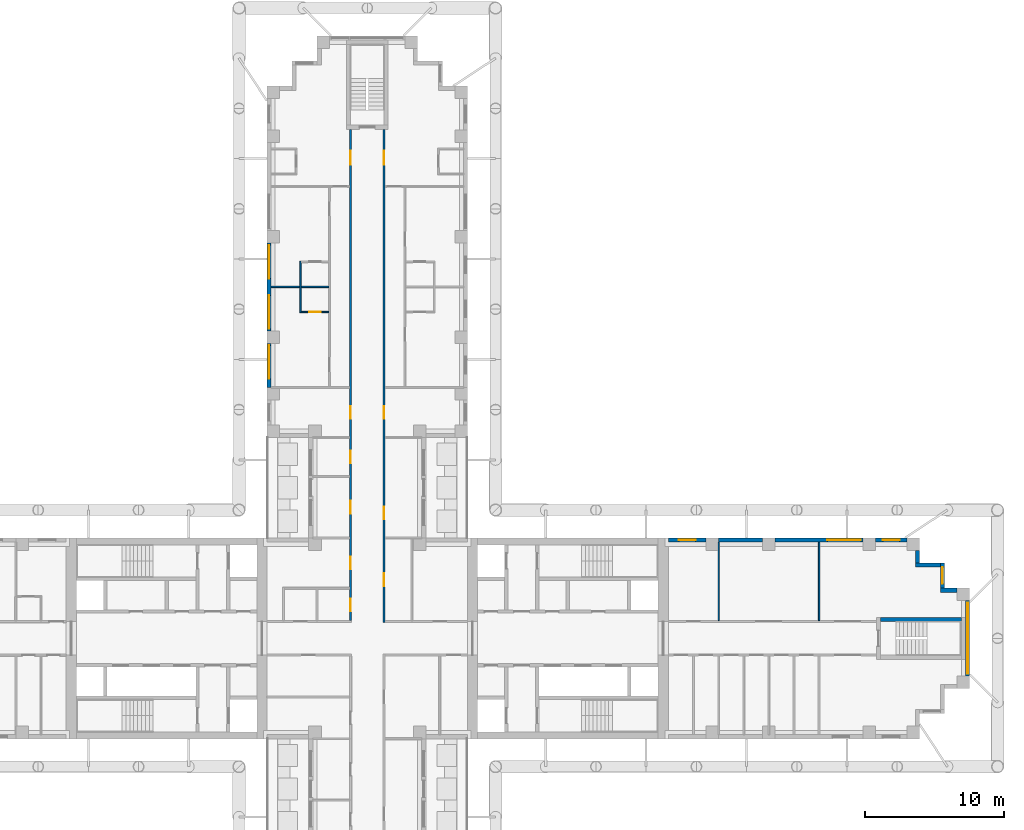
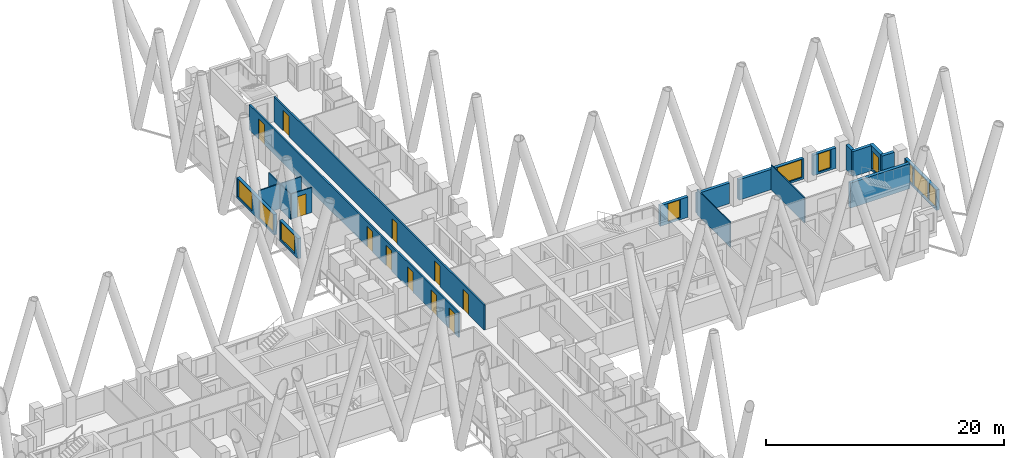
# One storey, part 11 of 16: 19 walls, 11 doors, 10 windows, 21 openings.
"""IFC4 building model written with IfcOpenShell, lengths in metres."""

from ifc_helpers import new_model, si_unit, direction, frame, frame_2d, origin, place, context, subcontext, project, spatial, rectangle, extrude, material, layer, layer_set, type_object, element, fill, save


model = new_model("IFC4")

# Units and contexts
model_context = context("Model", 3, precision=1e-05, world=origin(), true_north=direction((0.0, 1.0)))
body_context = subcontext(model_context, "Body", "Model", "MODEL_VIEW")
ifc_project = project(units=[si_unit("LENGTHUNIT", "METRE"), si_unit("AREAUNIT", "SQUARE_METRE"), si_unit("VOLUMEUNIT", "CUBIC_METRE"), si_unit("PLANEANGLEUNIT", "RADIAN"), si_unit("MASSUNIT", "GRAM", prefix="KILO")], contexts=[model_context])

# Site, building, storey
site_placement = place(None, origin())
site = spatial("IfcSite", under=ifc_project, at=site_placement, CompositionType="ELEMENT")
building_placement = place(site_placement, origin())
building = spatial("IfcBuilding", under=site, at=building_placement, Name="Fustian Cross Tower", CompositionType="ELEMENT")
storey_placement = place(building_placement, frame((0.0, 0.0, 20.699951171875)))
storey = spatial("IfcBuildingStorey", under=building, at=storey_placement, Name="L05", CompositionType="ELEMENT", Elevation=20.699951171875)

# Wall, openings, doors
ifc_material_1 = material(Name="Plasterboard on steel stud", Category="steel")
ifc_layer_1 = layer(ifc_material_1, 0.14990234375)
ifc_layer_set_1 = layer_set([ifc_layer_1], Name="Plasterboard on steel stud")
wall_type_1 = type_object("IfcWallType", Name="COMPARTMENT WALL 150 EI 60", PredefinedType="PARTITIONING", material=ifc_layer_set_1)
wall_1_placement = place(storey_placement, frame((-1.199951171875, 1.27490234375, 0.0), z_axis=(0.0, 0.0, 1.0), x_axis=(0.0, 1.0, 0.0)))
wall_1 = element("IfcWall", 1, at=wall_1_placement, inside=storey, type_object=wall_type_1, Name="Partition 52", PredefinedType="PARTITIONING", context=body_context, shape_type="SweptSolid", body=[
    extrude(rectangle(XDim=35.22509765625, YDim=0.14990234375, at=frame_2d((17.612548828125, 0.0))), origin(), (0.0, 0.0, 1.0), 2.574951171875),
])
opening_1_placement = place(wall_1_placement, frame((0.675048828125, 0.0, 0.0)))
opening_1 = element("IfcOpeningElement", 2, at=opening_1_placement, cuts=wall_1, Name="Opening D05003", PredefinedType="OPENING", context=body_context, shape_type="SweptSolid", body=[
    extrude(rectangle(XDim=0.89990234375, YDim=2.10009765625, at=frame_2d((0.449951171875, 1.050048828125))), frame((0.0, 0.0849609375, 0.0), z_axis=(0.0, -1.0, 0.0), x_axis=(1.0, 0.0, 0.0)), (0.0, 0.0, 1.0), 0.169921875),
])
opening_2_placement = place(wall_1_placement, frame((3.675048828125, 0.0, 0.0)))
opening_2 = element("IfcOpeningElement", 3, at=opening_2_placement, cuts=wall_1, Name="Opening D05005", PredefinedType="OPENING", context=body_context, shape_type="SweptSolid", body=[
    extrude(rectangle(XDim=0.89990234375, YDim=2.10009765625, at=frame_2d((0.449951171875, 1.050048828125))), frame((0.0, 0.0849609375, 0.0), z_axis=(0.0, -1.0, 0.0), x_axis=(1.0, 0.0, 0.0)), (0.0, 0.0, 1.0), 0.169921875),
])
opening_3_placement = place(wall_1_placement, frame((11.27490234375, 0.0, 0.0)))
opening_3 = element("IfcOpeningElement", 4, at=opening_3_placement, cuts=wall_1, Name="Opening D05020", PredefinedType="OPENING", context=body_context, shape_type="SweptSolid", body=[
    extrude(rectangle(XDim=0.89990234375, YDim=2.10009765625, at=frame_2d((0.449951171875, 1.050048828125))), frame((0.0, 0.0849609375, 0.0), z_axis=(0.0, -1.0, 0.0), x_axis=(1.0, 0.0, 0.0)), (0.0, 0.0, 1.0), 0.169921875),
])
opening_4_placement = place(wall_1_placement, frame((7.675048828125, 0.0, 0.0)))
opening_4 = element("IfcOpeningElement", 5, at=opening_4_placement, cuts=wall_1, Name="Opening D05021", PredefinedType="OPENING", context=body_context, shape_type="SweptSolid", body=[
    extrude(rectangle(XDim=0.89990234375, YDim=2.10009765625, at=frame_2d((0.449951171875, 1.050048828125))), frame((0.0, 0.0849609375, 0.0), z_axis=(0.0, -1.0, 0.0), x_axis=(1.0, 0.0, 0.0)), (0.0, 0.0, 1.0), 0.169921875),
])
opening_5_placement = place(wall_1_placement, frame((14.47509765625, 0.0, 0.0)))
opening_5 = element("IfcOpeningElement", 6, at=opening_5_placement, cuts=wall_1, Name="Opening D05022", PredefinedType="OPENING", context=body_context, shape_type="SweptSolid", body=[
    extrude(rectangle(XDim=0.89990234375, YDim=2.10009765625, at=frame_2d((0.449951171875, 1.050048828125))), frame((0.0, 0.0849609375, 0.0), z_axis=(0.0, -1.0, 0.0), x_axis=(1.0, 0.0, 0.0)), (0.0, 0.0, 1.0), 0.169921875),
])
opening_6_placement = place(wall_1_placement, frame((32.675048828125, 0.0, 0.0)))
opening_6 = element("IfcOpeningElement", 7, at=opening_6_placement, cuts=wall_1, Name="Opening D05024", PredefinedType="OPENING", context=body_context, shape_type="SweptSolid", body=[
    extrude(rectangle(XDim=1.0, YDim=2.10009765625, at=frame_2d((0.5, 1.050048828125))), frame((0.0, 0.0849609375, 0.0), z_axis=(0.0, -1.0, 0.0), x_axis=(1.0, 0.0, 0.0)), (0.0, 0.0, 1.0), 0.169921875),
])
ifc_material_2 = material(Name="Timber fire door set", Category="wood")
door_type_1 = type_object("IfcDoorType", Name="FIRE SWING DOOR 1000 FD30S", OperationType="SINGLE_SWING_LEFT", PredefinedType="DOOR", material=ifc_material_2)
door_1_placement = place(opening_6_placement, origin())
door_1 = element("IfcDoor", 8, at=door_1_placement, inside=storey, type_object=door_type_1, Name="Door D05024", OperationType="SINGLE_SWING_LEFT", OverallHeight=2.10009765625, OverallWidth=1.0, PredefinedType="DOOR", context=body_context, shape_type="SweptSolid", body=[
    extrude(rectangle(XDim=1.0, YDim=2.10009765625, at=frame_2d((0.5, 1.050048828125))), frame((0.0, 0.02490234375, 0.0), z_axis=(0.0, -1.0, 0.0), x_axis=(1.0, 0.0, 0.0)), (0.0, 0.0, 1.0), 0.050048828125),
])
fill(opening_6, door_1)
ifc_material_3 = material(Name="Timber fire door set", Category="wood")
door_type_2 = type_object("IfcDoorType", Name="FIRE SWING DOOR 900 FD30S", OperationType="SINGLE_SWING_LEFT", PredefinedType="DOOR", material=ifc_material_3)
door_2_placement = place(opening_1_placement, origin())
door_2 = element("IfcDoor", 9, at=door_2_placement, inside=storey, type_object=door_type_2, Name="Door D05003", OperationType="SINGLE_SWING_LEFT", OverallHeight=2.10009765625, OverallWidth=0.89990234375, PredefinedType="DOOR", context=body_context, shape_type="SweptSolid", body=[
    extrude(rectangle(XDim=0.89990234375, YDim=2.10009765625, at=frame_2d((0.449951171875, 1.050048828125))), frame((0.0, 0.02490234375, 0.0), z_axis=(0.0, -1.0, 0.0), x_axis=(1.0, 0.0, 0.0)), (0.0, 0.0, 1.0), 0.050048828125),
])
fill(opening_1, door_2)
door_3_placement = place(opening_2_placement, origin())
door_3 = element("IfcDoor", 10, at=door_3_placement, inside=storey, type_object=door_type_2, Name="Door D05005", OperationType="SINGLE_SWING_LEFT", OverallHeight=2.10009765625, OverallWidth=0.89990234375, PredefinedType="DOOR", context=body_context, shape_type="SweptSolid", body=[
    extrude(rectangle(XDim=0.89990234375, YDim=2.10009765625, at=frame_2d((0.449951171875, 1.050048828125))), frame((0.0, 0.02490234375, 0.0), z_axis=(0.0, -1.0, 0.0), x_axis=(1.0, 0.0, 0.0)), (0.0, 0.0, 1.0), 0.050048828125),
])
fill(opening_2, door_3)
door_4_placement = place(opening_3_placement, origin())
door_4 = element("IfcDoor", 11, at=door_4_placement, inside=storey, type_object=door_type_2, Name="Door D05020", OperationType="SINGLE_SWING_LEFT", OverallHeight=2.10009765625, OverallWidth=0.89990234375, PredefinedType="DOOR", context=body_context, shape_type="SweptSolid", body=[
    extrude(rectangle(XDim=0.89990234375, YDim=2.10009765625, at=frame_2d((0.449951171875, 1.050048828125))), frame((0.0, 0.02490234375, 0.0), z_axis=(0.0, -1.0, 0.0), x_axis=(1.0, 0.0, 0.0)), (0.0, 0.0, 1.0), 0.050048828125),
])
fill(opening_3, door_4)
door_5_placement = place(opening_4_placement, origin())
door_5 = element("IfcDoor", 12, at=door_5_placement, inside=storey, type_object=door_type_2, Name="Door D05021", OperationType="SINGLE_SWING_LEFT", OverallHeight=2.10009765625, OverallWidth=0.89990234375, PredefinedType="DOOR", context=body_context, shape_type="SweptSolid", body=[
    extrude(rectangle(XDim=0.89990234375, YDim=2.10009765625, at=frame_2d((0.449951171875, 1.050048828125))), frame((0.0, 0.02490234375, 0.0), z_axis=(0.0, -1.0, 0.0), x_axis=(1.0, 0.0, 0.0)), (0.0, 0.0, 1.0), 0.050048828125),
])
fill(opening_4, door_5)
door_6_placement = place(opening_5_placement, origin())
door_6 = element("IfcDoor", 13, at=door_6_placement, inside=storey, type_object=door_type_2, Name="Door D05022", OperationType="SINGLE_SWING_LEFT", OverallHeight=2.10009765625, OverallWidth=0.89990234375, PredefinedType="DOOR", context=body_context, shape_type="SweptSolid", body=[
    extrude(rectangle(XDim=0.89990234375, YDim=2.10009765625, at=frame_2d((0.449951171875, 1.050048828125))), frame((0.0, 0.02490234375, 0.0), z_axis=(0.0, -1.0, 0.0), x_axis=(1.0, 0.0, 0.0)), (0.0, 0.0, 1.0), 0.050048828125),
])
fill(opening_5, door_6)

wall_2_placement = place(storey_placement, frame((1.199951171875, 1.125, 0.0), z_axis=(0.0, 0.0, 1.0), x_axis=(0.0, 1.0, 0.0)))
wall_2 = element("IfcWall", 14, at=wall_2_placement, inside=storey, type_object=wall_type_1, Name="Partition 58", PredefinedType="PARTITIONING", context=body_context, shape_type="SweptSolid", body=[
    extrude(rectangle(XDim=35.375, YDim=0.14990234375, at=frame_2d((17.6875, 0.0))), origin(), (0.0, 0.0, 1.0), 2.574951171875),
])
opening_7_placement = place(wall_2_placement, frame((2.625, 0.0, 0.0)))
opening_7 = element("IfcOpeningElement", 15, at=opening_7_placement, cuts=wall_2, Name="Opening D05001", PredefinedType="OPENING", context=body_context, shape_type="SweptSolid", body=[
    extrude(rectangle(XDim=0.89990234375, YDim=2.10009765625, at=frame_2d((0.449951171875, 1.050048828125))), frame((0.0, 0.0849609375, 0.0), z_axis=(0.0, -1.0, 0.0), x_axis=(1.0, 0.0, 0.0)), (0.0, 0.0, 1.0), 0.169921875),
])
opening_8_placement = place(wall_2_placement, frame((7.425048828125, 0.0, 0.0)))
opening_8 = element("IfcOpeningElement", 16, at=opening_8_placement, cuts=wall_2, Name="Opening D05030", PredefinedType="OPENING", context=body_context, shape_type="SweptSolid", body=[
    extrude(rectangle(XDim=0.89990234375, YDim=2.10009765625, at=frame_2d((0.449951171875, 1.050048828125))), frame((0.0, 0.0849609375, 0.0), z_axis=(0.0, -1.0, 0.0), x_axis=(1.0, 0.0, 0.0)), (0.0, 0.0, 1.0), 0.169921875),
])
opening_9_placement = place(wall_2_placement, frame((14.625, 0.0, 0.0)))
opening_9 = element("IfcOpeningElement", 17, at=opening_9_placement, cuts=wall_2, Name="Opening D05031", PredefinedType="OPENING", context=body_context, shape_type="SweptSolid", body=[
    extrude(rectangle(XDim=0.89990234375, YDim=2.10009765625, at=frame_2d((0.449951171875, 1.050048828125))), frame((0.0, 0.0849609375, 0.0), z_axis=(0.0, -1.0, 0.0), x_axis=(1.0, 0.0, 0.0)), (0.0, 0.0, 1.0), 0.169921875),
])
opening_10_placement = place(wall_2_placement, frame((32.824951171875, 0.0, 0.0)))
opening_10 = element("IfcOpeningElement", 18, at=opening_10_placement, cuts=wall_2, Name="Opening D05033", PredefinedType="OPENING", context=body_context, shape_type="SweptSolid", body=[
    extrude(rectangle(XDim=1.0, YDim=2.10009765625, at=frame_2d((0.5, 1.050048828125))), frame((0.0, 0.0849609375, 0.0), z_axis=(0.0, -1.0, 0.0), x_axis=(1.0, 0.0, 0.0)), (0.0, 0.0, 1.0), 0.169921875),
])
door_7_placement = place(opening_10_placement, frame((1.0, 0.0, 0.0), z_axis=(0.0, 0.0, 1.0), x_axis=(-1.0, 0.0, 0.0)))
door_7 = element("IfcDoor", 19, at=door_7_placement, inside=storey, type_object=door_type_1, Name="Door D05033", OperationType="SINGLE_SWING_RIGHT", OverallHeight=2.10009765625, OverallWidth=1.0, PredefinedType="DOOR", context=body_context, shape_type="SweptSolid", body=[
    extrude(rectangle(XDim=1.0, YDim=2.10009765625, at=frame_2d((0.5, 1.050048828125))), frame((0.0, 0.02490234375, 0.0), z_axis=(0.0, -1.0, 0.0), x_axis=(1.0, 0.0, 0.0)), (0.0, 0.0, 1.0), 0.050048828125),
])
fill(opening_10, door_7)
door_8_placement = place(opening_7_placement, frame((0.89990234375, 0.0, 0.0), z_axis=(0.0, 0.0, 1.0), x_axis=(-1.0, 0.0, 0.0)))
door_8 = element("IfcDoor", 20, at=door_8_placement, inside=storey, type_object=door_type_2, Name="Door D05001", OperationType="SINGLE_SWING_RIGHT", OverallHeight=2.10009765625, OverallWidth=0.89990234375, PredefinedType="DOOR", context=body_context, shape_type="SweptSolid", body=[
    extrude(rectangle(XDim=0.89990234375, YDim=2.10009765625, at=frame_2d((0.449951171875, 1.050048828125))), frame((0.0, 0.02490234375, 0.0), z_axis=(0.0, -1.0, 0.0), x_axis=(1.0, 0.0, 0.0)), (0.0, 0.0, 1.0), 0.050048828125),
])
fill(opening_7, door_8)
door_9_placement = place(opening_8_placement, frame((0.89990234375, 0.0, 0.0), z_axis=(0.0, 0.0, 1.0), x_axis=(-1.0, 0.0, 0.0)))
door_9 = element("IfcDoor", 21, at=door_9_placement, inside=storey, type_object=door_type_2, Name="Door D05030", OperationType="SINGLE_SWING_RIGHT", OverallHeight=2.10009765625, OverallWidth=0.89990234375, PredefinedType="DOOR", context=body_context, shape_type="SweptSolid", body=[
    extrude(rectangle(XDim=0.89990234375, YDim=2.10009765625, at=frame_2d((0.449951171875, 1.050048828125))), frame((0.0, 0.02490234375, 0.0), z_axis=(0.0, -1.0, 0.0), x_axis=(1.0, 0.0, 0.0)), (0.0, 0.0, 1.0), 0.050048828125),
])
fill(opening_8, door_9)
door_10_placement = place(opening_9_placement, frame((0.89990234375, 0.0, 0.0), z_axis=(0.0, 0.0, 1.0), x_axis=(-1.0, 0.0, 0.0)))
door_10 = element("IfcDoor", 22, at=door_10_placement, inside=storey, type_object=door_type_2, Name="Door D05031", OperationType="SINGLE_SWING_RIGHT", OverallHeight=2.10009765625, OverallWidth=0.89990234375, PredefinedType="DOOR", context=body_context, shape_type="SweptSolid", body=[
    extrude(rectangle(XDim=0.89990234375, YDim=2.10009765625, at=frame_2d((0.449951171875, 1.050048828125))), frame((0.0, 0.02490234375, 0.0), z_axis=(0.0, -1.0, 0.0), x_axis=(1.0, 0.0, 0.0)), (0.0, 0.0, 1.0), 0.050048828125),
])
fill(opening_9, door_10)

# Walls
ifc_material_4 = material(Name="Plasterboard on steel stud", Category="steel")
ifc_layer_2 = layer(ifc_material_4, 0.10009765625)
ifc_layer_set_2 = layer_set([ifc_layer_2], Name="Plasterboard on steel stud")
wall_type_2 = type_object("IfcWallType", Name="PARTITION 100 STUD", PredefinedType="PARTITIONING", material=ifc_layer_set_2)
wall_3_placement = place(storey_placement, frame((-6.89990234375, 25.199951171875, 0.0), z_axis=(0.0, 0.0, 1.0), x_axis=(1.0, 0.0, 0.0)))
element("IfcWall", 23, at=wall_3_placement, inside=storey, type_object=wall_type_2, Name="Partition 25", PredefinedType="PARTITIONING", context=body_context, shape_type="SweptSolid", body=[
    extrude(rectangle(XDim=4.14990234375, YDim=0.10009765625, at=frame_2d((2.074951171875, 0.0))), origin(), (0.0, 0.0, 1.0), 2.574951171875),
])
wall_4_placement = place(storey_placement, frame((-4.800048828125, 23.35009765625, 0.0), z_axis=(0.0, 0.0, 1.0), x_axis=(0.0, 1.0, 0.0)))
element("IfcWall", 24, at=wall_4_placement, inside=storey, type_object=wall_type_2, Name="Partition 39", PredefinedType="PARTITIONING", context=body_context, shape_type="SweptSolid", body=[
    extrude(rectangle(XDim=3.699951171875, YDim=0.10009765625, at=frame_2d((1.85009765625, 0.0))), origin(), (0.0, 0.0, 1.0), 2.574951171875),
])

# Wall, opening, door
wall_5_placement = place(storey_placement, frame((-4.75, 23.39990234375, 0.0), z_axis=(0.0, 0.0, 1.0), x_axis=(1.0, 0.0, 0.0)))
wall_5 = element("IfcWall", 25, at=wall_5_placement, inside=storey, type_object=wall_type_2, Name="Partition 40", PredefinedType="PARTITIONING", context=body_context, shape_type="SweptSolid", body=[
    extrude(rectangle(XDim=2.0, YDim=0.10009765625, at=frame_2d((1.0, 0.0))), origin(), (0.0, 0.0, 1.0), 2.574951171875),
])
opening_11_placement = place(wall_5_placement, frame((0.60009765625, 0.0, 0.0)))
opening_11 = element("IfcOpeningElement", 26, at=opening_11_placement, cuts=wall_5, Name="Opening D05028", PredefinedType="OPENING", context=body_context, shape_type="SweptSolid", body=[
    extrude(rectangle(XDim=0.800048828125, YDim=2.10009765625, at=frame_2d((0.39990234375, 1.050048828125))), frame((0.0, 0.06005859375, 0.0), z_axis=(0.0, -1.0, 0.0), x_axis=(1.0, 0.0, 0.0)), (0.0, 0.0, 1.0), 0.1201171875),
])
ifc_material_5 = material(Name="Painted timber", Category="wood")
door_type_3 = type_object("IfcDoorType", Name="SWING DOOR 800", OperationType="SINGLE_SWING_LEFT", PredefinedType="DOOR", material=ifc_material_5)
door_11_placement = place(opening_11_placement, origin())
door_11 = element("IfcDoor", 27, at=door_11_placement, inside=storey, type_object=door_type_3, Name="Door D05028", OperationType="SINGLE_SWING_LEFT", OverallHeight=2.10009765625, OverallWidth=0.800048828125, PredefinedType="DOOR", context=body_context, shape_type="SweptSolid", body=[
    extrude(rectangle(XDim=0.800048828125, YDim=2.10009765625, at=frame_2d((0.39990234375, 1.050048828125))), frame((0.0, 0.02490234375, 0.0), z_axis=(0.0, -1.0, 0.0), x_axis=(1.0, 0.0, 0.0)), (0.0, 0.0, 1.0), 0.050048828125),
])
fill(opening_11, door_11)

# Walls
for number, where, z_axis, x_axis, name in (
    (28, (25.199951171875, 1.27490234375, 0.0), (0.0, 0.0, 1.0), (0.0, 1.0, 0.0), "Partition 96"),
    (29, (32.39990234375, 1.27490234375, 0.0), (0.0, 0.0, 1.0), (0.0, 1.0, 0.0), "Partition 101"),
):
    element("IfcWall", number, at=place(storey_placement, frame(where, z_axis=z_axis, x_axis=x_axis)), inside=storey, type_object=wall_type_2, Name=name, PredefinedType="PARTITIONING", context=body_context, shape_type="SweptSolid", body=[
        extrude(rectangle(XDim=5.625, YDim=0.10009765625, at=frame_2d((2.8125, 0.0))), origin(), (0.0, 0.0, 1.0), 2.574951171875),
    ])
ifc_material_6 = material(Name="Concrete C50/60", Category="concrete")
ifc_layer_3 = layer(ifc_material_6, 0.300048828125)
ifc_layer_set_3 = layer_set([ifc_layer_3], Name="Concrete C50/60")
wall_type_3 = type_object("IfcWallType", Name="STAIR ENCLOSURE WALL 300 C50/60", PredefinedType="SHEAR", material=ifc_layer_set_3)
wall_6_placement = place(storey_placement, frame((36.800048828125, 1.35009765625, 0.0), z_axis=(0.0, 0.0, 1.0), x_axis=(1.0, 0.0, 0.0)))
element("IfcWall", 30, at=wall_6_placement, inside=storey, type_object=wall_type_3, Name="Stair enclosure wall", PredefinedType="SHEAR", context=body_context, shape_type="SweptSolid", body=[
    extrude(rectangle(XDim=5.800048828125, YDim=0.300048828125, at=frame_2d((2.89990234375, 0.0))), origin(), (0.0, 0.0, 1.0), 2.574951171875),
])

# Wall, openings, windows
ifc_material_7 = material(Name="Dark aluminium cladding on insulated backing wall", Category="aluminium")
ifc_layer_4 = layer(ifc_material_7, 0.300048828125)
ifc_layer_set_4 = layer_set([ifc_layer_4], Name="Dark aluminium cladding on insulated backing wall")
wall_type_4 = type_object("IfcWallType", Name="XW1 EXTERNAL WALL 300", PredefinedType="SOLIDWALL", material=ifc_layer_set_4)
wall_7_placement = place(storey_placement, frame((43.050048828125, -2.699951171875, 0.0), z_axis=(0.0, 0.0, 1.0), x_axis=(0.0, 1.0, 0.0)))
wall_7 = element("IfcWall", 31, at=wall_7_placement, inside=storey, type_object=wall_type_4, Name="External wall", PredefinedType="SOLIDWALL", context=body_context, shape_type="SweptSolid", body=[
    extrude(rectangle(XDim=5.39990234375, YDim=0.300048828125, at=frame_2d((2.699951171875, 0.0))), origin(), (0.0, 0.0, 1.0), 2.10009765625),
])
opening_12_placement = place(wall_7_placement, frame((1.5, 0.0, 0.199951171875)))
opening_12 = element("IfcOpeningElement", 32, at=opening_12_placement, cuts=wall_7, Name="Opening WN1", PredefinedType="OPENING", context=body_context, shape_type="SweptSolid", body=[
    extrude(rectangle(XDim=2.39990234375, YDim=1.85009765625, at=frame_2d((1.199951171875, 0.925048828125))), frame((0.0, 0.159912109375, 0.0), z_axis=(0.0, -1.0, 0.0), x_axis=(1.0, 0.0, 0.0)), (0.0, 0.0, 1.0), 0.320068359375),
])
opening_13_placement = place(wall_7_placement, frame((0.14990234375, 0.0, 0.199951171875)))
opening_13 = element("IfcOpeningElement", 33, at=opening_13_placement, cuts=wall_7, Name="Opening WN3", PredefinedType="OPENING", context=body_context, shape_type="SweptSolid", body=[
    extrude(rectangle(XDim=1.199951171875, YDim=1.85009765625, at=frame_2d((0.60009765625, 0.925048828125))), frame((0.0, 0.159912109375, 0.0), z_axis=(0.0, -1.0, 0.0), x_axis=(1.0, 0.0, 0.0)), (0.0, 0.0, 1.0), 0.320068359375),
])
opening_14_placement = place(wall_7_placement, frame((4.050048828125, 0.0, 0.199951171875)))
opening_14 = element("IfcOpeningElement", 34, at=opening_14_placement, cuts=wall_7, Name="Opening WN3", PredefinedType="OPENING", context=body_context, shape_type="SweptSolid", body=[
    extrude(rectangle(XDim=1.199951171875, YDim=1.85009765625, at=frame_2d((0.60009765625, 0.925048828125))), frame((0.0, 0.159912109375, 0.0), z_axis=(0.0, -1.0, 0.0), x_axis=(1.0, 0.0, 0.0)), (0.0, 0.0, 1.0), 0.320068359375),
])
ifc_material_8 = material(Name="Dark anodised aluminium and double glazing", Category="aluminium")
window_type_1 = type_object("IfcWindowType", Name="WN1 WINDOW 2400X1850", PartitioningType="SINGLE_PANEL", PredefinedType="WINDOW", material=ifc_material_8)
window_1_placement = place(opening_12_placement, origin())
window_1 = element("IfcWindow", 35, at=window_1_placement, inside=storey, type_object=window_type_1, Name="Window", OverallHeight=1.85009765625, OverallWidth=2.39990234375, PartitioningType="SINGLE_PANEL", PredefinedType="WINDOW", context=body_context, shape_type="SweptSolid", body=[
    extrude(rectangle(XDim=2.39990234375, YDim=1.85009765625, at=frame_2d((1.199951171875, 0.925048828125))), frame((0.0, 0.030029296875, 0.0), z_axis=(0.0, -1.0, 0.0), x_axis=(1.0, 0.0, 0.0)), (0.0, 0.0, 1.0), 0.06005859375),
])
fill(opening_12, window_1)
ifc_material_9 = material(Name="Dark anodised aluminium and double glazing", Category="aluminium")
window_type_2 = type_object("IfcWindowType", Name="WN3 WINDOW 1200X1850", PartitioningType="SINGLE_PANEL", PredefinedType="WINDOW", material=ifc_material_9)
window_2_placement = place(opening_13_placement, origin())
window_2 = element("IfcWindow", 36, at=window_2_placement, inside=storey, type_object=window_type_2, Name="Window", OverallHeight=1.85009765625, OverallWidth=1.199951171875, PartitioningType="SINGLE_PANEL", PredefinedType="WINDOW", context=body_context, shape_type="SweptSolid", body=[
    extrude(rectangle(XDim=1.199951171875, YDim=1.85009765625, at=frame_2d((0.60009765625, 0.925048828125))), frame((0.0, 0.030029296875, 0.0), z_axis=(0.0, -1.0, 0.0), x_axis=(1.0, 0.0, 0.0)), (0.0, 0.0, 1.0), 0.06005859375),
])
fill(opening_13, window_2)
window_3_placement = place(opening_14_placement, origin())
window_3 = element("IfcWindow", 37, at=window_3_placement, inside=storey, type_object=window_type_2, Name="Window", OverallHeight=1.85009765625, OverallWidth=1.199951171875, PartitioningType="SINGLE_PANEL", PredefinedType="WINDOW", context=body_context, shape_type="SweptSolid", body=[
    extrude(rectangle(XDim=1.199951171875, YDim=1.85009765625, at=frame_2d((0.60009765625, 0.925048828125))), frame((0.0, 0.030029296875, 0.0), z_axis=(0.0, -1.0, 0.0), x_axis=(1.0, 0.0, 0.0)), (0.0, 0.0, 1.0), 0.06005859375),
])
fill(opening_14, window_3)

# Wall
wall_8_placement = place(storey_placement, frame((42.300048828125, 3.449951171875, 0.0), z_axis=(0.0, 0.0, 1.0), x_axis=(-1.0, 0.0, 0.0)))
element("IfcWall", 38, at=wall_8_placement, inside=storey, type_object=wall_type_4, Name="External wall", PredefinedType="SOLIDWALL", context=body_context, shape_type="SweptSolid", body=[
    extrude(rectangle(XDim=1.199951171875, YDim=0.300048828125, at=frame_2d((0.60009765625, 0.0))), origin(), (0.0, 0.0, 1.0), 2.574951171875),
])

# Wall, opening, window
wall_9_placement = place(storey_placement, frame((41.25, 3.60009765625, 0.0), z_axis=(0.0, 0.0, 1.0), x_axis=(0.0, 1.0, 0.0)))
wall_9 = element("IfcWall", 39, at=wall_9_placement, inside=storey, type_object=wall_type_4, Name="External wall", PredefinedType="SOLIDWALL", context=body_context, shape_type="SweptSolid", body=[
    extrude(rectangle(XDim=1.7998046875, YDim=0.300048828125, at=frame_2d((0.89990234375, 0.0))), origin(), (0.0, 0.0, 1.0), 2.574951171875),
])
opening_15_placement = place(wall_9_placement, frame((0.300048828125, 0.0, 0.199951171875)))
opening_15 = element("IfcOpeningElement", 40, at=opening_15_placement, cuts=wall_9, Name="Opening WN3", PredefinedType="OPENING", context=body_context, shape_type="SweptSolid", body=[
    extrude(rectangle(XDim=1.199951171875, YDim=1.85009765625, at=frame_2d((0.60009765625, 0.925048828125))), frame((0.0, 0.159912109375, 0.0), z_axis=(0.0, -1.0, 0.0), x_axis=(1.0, 0.0, 0.0)), (0.0, 0.0, 1.0), 0.320068359375),
])
window_4_placement = place(opening_15_placement, origin())
window_4 = element("IfcWindow", 41, at=window_4_placement, inside=storey, type_object=window_type_2, Name="Window", OverallHeight=1.85009765625, OverallWidth=1.199951171875, PartitioningType="SINGLE_PANEL", PredefinedType="WINDOW", context=body_context, shape_type="SweptSolid", body=[
    extrude(rectangle(XDim=1.199951171875, YDim=1.85009765625, at=frame_2d((0.60009765625, 0.925048828125))), frame((0.0, 0.030029296875, 0.0), z_axis=(0.0, -1.0, 0.0), x_axis=(1.0, 0.0, 0.0)), (0.0, 0.0, 1.0), 0.06005859375),
])
fill(opening_15, window_4)

# Walls
wall_10_placement = place(storey_placement, frame((41.10009765625, 5.25, 0.0), z_axis=(0.0, 0.0, 1.0), x_axis=(-1.0, 0.0, 0.0)))
element("IfcWall", 42, at=wall_10_placement, inside=storey, type_object=wall_type_4, Name="External wall", PredefinedType="SOLIDWALL", context=body_context, shape_type="SweptSolid", body=[
    extrude(rectangle(XDim=1.800048828125, YDim=0.300048828125, at=frame_2d((0.89990234375, 0.0))), origin(), (0.0, 0.0, 1.0), 2.574951171875),
])
wall_11_placement = place(storey_placement, frame((39.449951171875, 5.39990234375, 0.0), z_axis=(0.0, 0.0, 1.0), x_axis=(0.0, 1.0, 0.0)))
element("IfcWall", 43, at=wall_11_placement, inside=storey, type_object=wall_type_4, Name="External wall", PredefinedType="SOLIDWALL", context=body_context, shape_type="SweptSolid", body=[
    extrude(rectangle(XDim=0.900146484375, YDim=0.300048828125, at=frame_2d((0.4501953125, 0.0))), origin(), (0.0, 0.0, 1.0), 2.574951171875),
])

# Wall, opening, window
wall_12_placement = place(storey_placement, frame((38.699951171875, 7.050048828125, 0.0), z_axis=(0.0, 0.0, 1.0), x_axis=(-1.0, 0.0, 0.0)))
wall_12 = element("IfcWall", 44, at=wall_12_placement, inside=storey, type_object=wall_type_4, Name="External wall", PredefinedType="SOLIDWALL", context=body_context, shape_type="SweptSolid", body=[
    extrude(rectangle(XDim=2.25, YDim=0.300048828125, at=frame_2d((1.125, 0.0))), origin(), (0.0, 0.0, 1.0), 2.10009765625),
])
opening_16_placement = place(wall_12_placement, frame((0.52490234375, 0.0, 0.199951171875)))
opening_16 = element("IfcOpeningElement", 45, at=opening_16_placement, cuts=wall_12, Name="Opening WN3", PredefinedType="OPENING", context=body_context, shape_type="SweptSolid", body=[
    extrude(rectangle(XDim=1.199951171875, YDim=1.85009765625, at=frame_2d((0.60009765625, 0.925048828125))), frame((0.0, 0.159912109375, 0.0), z_axis=(0.0, -1.0, 0.0), x_axis=(1.0, 0.0, 0.0)), (0.0, 0.0, 1.0), 0.320068359375),
])
window_5_placement = place(opening_16_placement, origin())
window_5 = element("IfcWindow", 46, at=window_5_placement, inside=storey, type_object=window_type_2, Name="Window", OverallHeight=1.85009765625, OverallWidth=1.199951171875, PartitioningType="SINGLE_PANEL", PredefinedType="WINDOW", context=body_context, shape_type="SweptSolid", body=[
    extrude(rectangle(XDim=1.199951171875, YDim=1.85009765625, at=frame_2d((0.60009765625, 0.925048828125))), frame((0.0, 0.030029296875, 0.0), z_axis=(0.0, -1.0, 0.0), x_axis=(1.0, 0.0, 0.0)), (0.0, 0.0, 1.0), 0.06005859375),
])
fill(opening_16, window_5)

wall_13_placement = place(storey_placement, frame((35.550048828125, 7.050048828125, 0.0), z_axis=(0.0, 0.0, 1.0), x_axis=(-1.0, 0.0, 0.0)))
wall_13 = element("IfcWall", 47, at=wall_13_placement, inside=storey, type_object=wall_type_4, Name="External wall", PredefinedType="SOLIDWALL", context=body_context, shape_type="SweptSolid", body=[
    extrude(rectangle(XDim=6.300048828125, YDim=0.300048828125, at=frame_2d((3.14990234375, 0.0))), origin(), (0.0, 0.0, 1.0), 2.10009765625),
])
opening_17_placement = place(wall_13_placement, frame((0.14990234375, 0.0, 0.199951171875)))
opening_17 = element("IfcOpeningElement", 48, at=opening_17_placement, cuts=wall_13, Name="Opening WN1", PredefinedType="OPENING", context=body_context, shape_type="SweptSolid", body=[
    extrude(rectangle(XDim=2.39990234375, YDim=1.85009765625, at=frame_2d((1.199951171875, 0.925048828125))), frame((0.0, 0.159912109375, 0.0), z_axis=(0.0, -1.0, 0.0), x_axis=(1.0, 0.0, 0.0)), (0.0, 0.0, 1.0), 0.320068359375),
])
window_6_placement = place(opening_17_placement, origin())
window_6 = element("IfcWindow", 49, at=window_6_placement, inside=storey, type_object=window_type_1, Name="Window", OverallHeight=1.85009765625, OverallWidth=2.39990234375, PartitioningType="SINGLE_PANEL", PredefinedType="WINDOW", context=body_context, shape_type="SweptSolid", body=[
    extrude(rectangle(XDim=2.39990234375, YDim=1.85009765625, at=frame_2d((1.199951171875, 0.925048828125))), frame((0.0, 0.030029296875, 0.0), z_axis=(0.0, -1.0, 0.0), x_axis=(1.0, 0.0, 0.0)), (0.0, 0.0, 1.0), 0.06005859375),
])
fill(opening_17, window_6)

# Wall
wall_14_placement = place(storey_placement, frame((28.35009765625, 7.050048828125, 0.0), z_axis=(0.0, 0.0, 1.0), x_axis=(-1.0, 0.0, 0.0)))
element("IfcWall", 50, at=wall_14_placement, inside=storey, type_object=wall_type_4, Name="External wall", PredefinedType="SOLIDWALL", context=body_context, shape_type="SweptSolid", body=[
    extrude(rectangle(XDim=3.150146484375, YDim=0.300048828125, at=frame_2d((1.5751953125, 0.0))), origin(), (0.0, 0.0, 1.0), 2.10009765625),
])

# Wall, opening, window
wall_15_placement = place(storey_placement, frame((24.300048828125, 7.050048828125, 0.0), z_axis=(0.0, 0.0, 1.0), x_axis=(-1.0, 0.0, 0.0)))
wall_15 = element("IfcWall", 51, at=wall_15_placement, inside=storey, type_object=wall_type_4, Name="External wall", PredefinedType="SOLIDWALL", context=body_context, shape_type="SweptSolid", body=[
    extrude(rectangle(XDim=2.699951171875, YDim=0.300048828125, at=frame_2d((1.35009765625, 0.0))), origin(), (0.0, 0.0, 1.0), 2.10009765625),
])
opening_18_placement = place(wall_15_placement, frame((0.75, 0.0, 0.199951171875)))
opening_18 = element("IfcOpeningElement", 52, at=opening_18_placement, cuts=wall_15, Name="Opening WN3", PredefinedType="OPENING", context=body_context, shape_type="SweptSolid", body=[
    extrude(rectangle(XDim=1.199951171875, YDim=1.85009765625, at=frame_2d((0.60009765625, 0.925048828125))), frame((0.0, 0.159912109375, 0.0), z_axis=(0.0, -1.0, 0.0), x_axis=(1.0, 0.0, 0.0)), (0.0, 0.0, 1.0), 0.320068359375),
])
window_7_placement = place(opening_18_placement, origin())
window_7 = element("IfcWindow", 53, at=window_7_placement, inside=storey, type_object=window_type_2, Name="Window", OverallHeight=1.85009765625, OverallWidth=1.199951171875, PartitioningType="SINGLE_PANEL", PredefinedType="WINDOW", context=body_context, shape_type="SweptSolid", body=[
    extrude(rectangle(XDim=1.199951171875, YDim=1.85009765625, at=frame_2d((0.60009765625, 0.925048828125))), frame((0.0, 0.030029296875, 0.0), z_axis=(0.0, -1.0, 0.0), x_axis=(1.0, 0.0, 0.0)), (0.0, 0.0, 1.0), 0.06005859375),
])
fill(opening_18, window_7)

# Wall, openings, windows
wall_16_placement = place(storey_placement, frame((-7.050048828125, 28.35009765625, 0.0), z_axis=(0.0, 0.0, 1.0), x_axis=(0.0, -1.0, 0.0)))
wall_16 = element("IfcWall", 54, at=wall_16_placement, inside=storey, type_object=wall_type_4, Name="External wall", PredefinedType="SOLIDWALL", context=body_context, shape_type="SweptSolid", body=[
    extrude(rectangle(XDim=6.300048828125, YDim=0.300048828125, at=frame_2d((3.14990234375, 0.0))), origin(), (0.0, 0.0, 1.0), 2.10009765625),
])
opening_19_placement = place(wall_16_placement, frame((0.14990234375, 0.0, 0.199951171875)))
opening_19 = element("IfcOpeningElement", 55, at=opening_19_placement, cuts=wall_16, Name="Opening WN1", PredefinedType="OPENING", context=body_context, shape_type="SweptSolid", body=[
    extrude(rectangle(XDim=2.39990234375, YDim=1.85009765625, at=frame_2d((1.199951171875, 0.925048828125))), frame((0.0, 0.159912109375, 0.0), z_axis=(0.0, -1.0, 0.0), x_axis=(1.0, 0.0, 0.0)), (0.0, 0.0, 1.0), 0.320068359375),
])
opening_20_placement = place(wall_16_placement, frame((3.75, 0.0, 0.199951171875)))
opening_20 = element("IfcOpeningElement", 56, at=opening_20_placement, cuts=wall_16, Name="Opening WN1", PredefinedType="OPENING", context=body_context, shape_type="SweptSolid", body=[
    extrude(rectangle(XDim=2.39990234375, YDim=1.85009765625, at=frame_2d((1.199951171875, 0.925048828125))), frame((0.0, 0.159912109375, 0.0), z_axis=(0.0, -1.0, 0.0), x_axis=(1.0, 0.0, 0.0)), (0.0, 0.0, 1.0), 0.320068359375),
])
window_8_placement = place(opening_19_placement, origin())
window_8 = element("IfcWindow", 57, at=window_8_placement, inside=storey, type_object=window_type_1, Name="Window", OverallHeight=1.85009765625, OverallWidth=2.39990234375, PartitioningType="SINGLE_PANEL", PredefinedType="WINDOW", context=body_context, shape_type="SweptSolid", body=[
    extrude(rectangle(XDim=2.39990234375, YDim=1.85009765625, at=frame_2d((1.199951171875, 0.925048828125))), frame((0.0, 0.030029296875, 0.0), z_axis=(0.0, -1.0, 0.0), x_axis=(1.0, 0.0, 0.0)), (0.0, 0.0, 1.0), 0.06005859375),
])
fill(opening_19, window_8)
window_9_placement = place(opening_20_placement, origin())
window_9 = element("IfcWindow", 58, at=window_9_placement, inside=storey, type_object=window_type_1, Name="Window", OverallHeight=1.85009765625, OverallWidth=2.39990234375, PartitioningType="SINGLE_PANEL", PredefinedType="WINDOW", context=body_context, shape_type="SweptSolid", body=[
    extrude(rectangle(XDim=2.39990234375, YDim=1.85009765625, at=frame_2d((1.199951171875, 0.925048828125))), frame((0.0, 0.030029296875, 0.0), z_axis=(0.0, -1.0, 0.0), x_axis=(1.0, 0.0, 0.0)), (0.0, 0.0, 1.0), 0.06005859375),
])
fill(opening_20, window_9)

# Wall, opening, window
wall_17_placement = place(storey_placement, frame((-7.050048828125, 21.14990234375, 0.0), z_axis=(0.0, 0.0, 1.0), x_axis=(0.0, -1.0, 0.0)))
wall_17 = element("IfcWall", 59, at=wall_17_placement, inside=storey, type_object=wall_type_4, Name="External wall", PredefinedType="SOLIDWALL", context=body_context, shape_type="SweptSolid", body=[
    extrude(rectangle(XDim=3.14990234375, YDim=0.300048828125, at=frame_2d((1.574951171875, 0.0))), origin(), (0.0, 0.0, 1.0), 2.10009765625),
])
opening_21_placement = place(wall_17_placement, frame((0.14990234375, 0.0, 0.199951171875)))
opening_21 = element("IfcOpeningElement", 60, at=opening_21_placement, cuts=wall_17, Name="Opening WN1", PredefinedType="OPENING", context=body_context, shape_type="SweptSolid", body=[
    extrude(rectangle(XDim=2.39990234375, YDim=1.85009765625, at=frame_2d((1.199951171875, 0.925048828125))), frame((0.0, 0.159912109375, 0.0), z_axis=(0.0, -1.0, 0.0), x_axis=(1.0, 0.0, 0.0)), (0.0, 0.0, 1.0), 0.320068359375),
])
window_10_placement = place(opening_21_placement, origin())
window_10 = element("IfcWindow", 61, at=window_10_placement, inside=storey, type_object=window_type_1, Name="Window", OverallHeight=1.85009765625, OverallWidth=2.39990234375, PartitioningType="SINGLE_PANEL", PredefinedType="WINDOW", context=body_context, shape_type="SweptSolid", body=[
    extrude(rectangle(XDim=2.39990234375, YDim=1.85009765625, at=frame_2d((1.199951171875, 0.925048828125))), frame((0.0, 0.030029296875, 0.0), z_axis=(0.0, -1.0, 0.0), x_axis=(1.0, 0.0, 0.0)), (0.0, 0.0, 1.0), 0.06005859375),
])
fill(opening_21, window_10)

save(model, "model.ifc")
